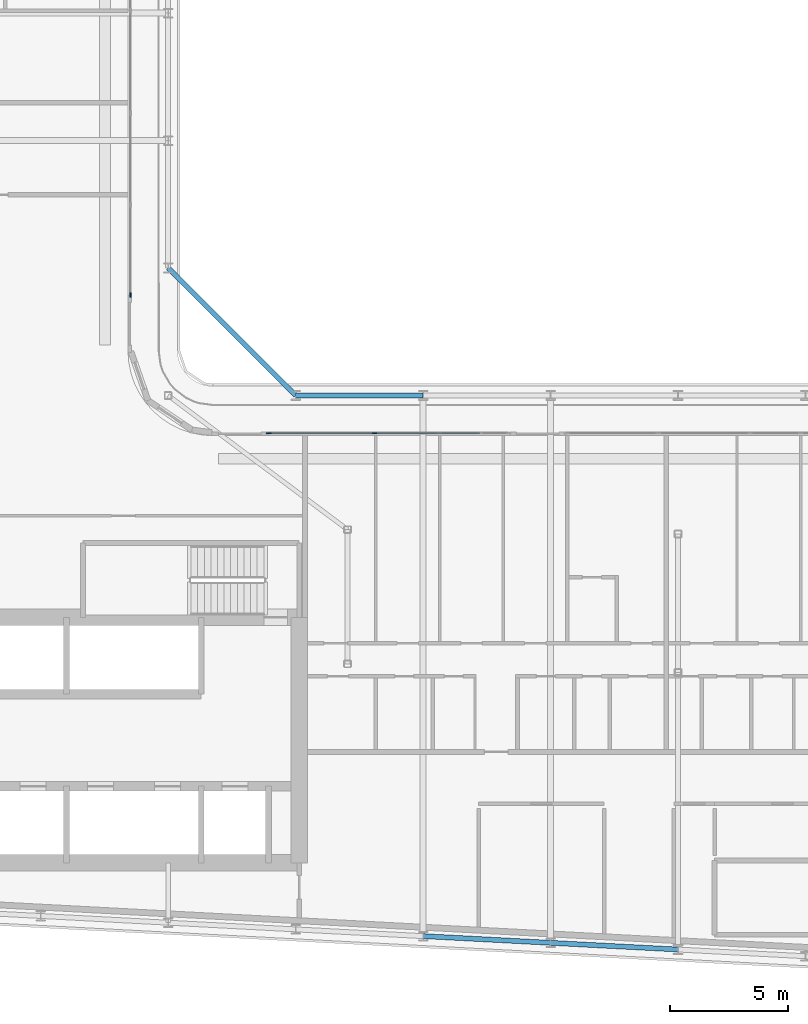
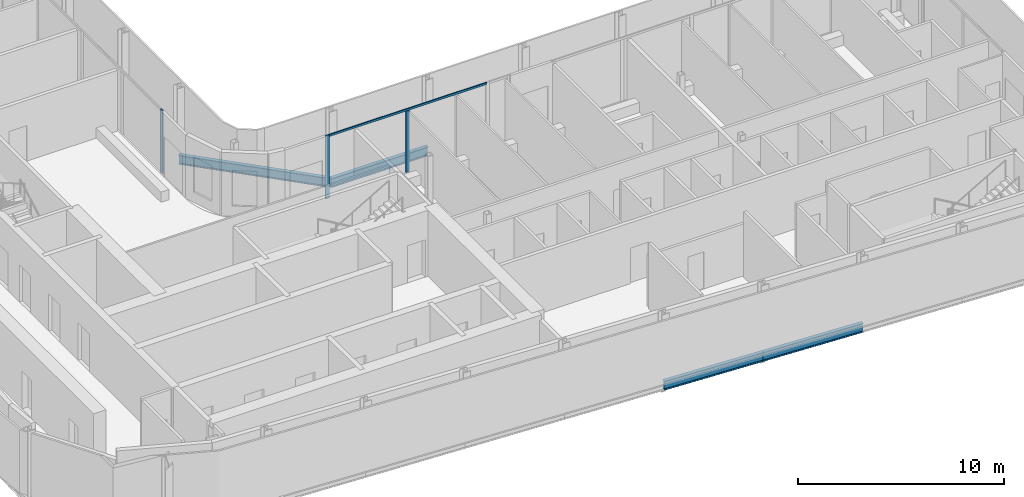
# One storey, part 4 of 23: 4 beams, 4 members, 2 elements without a shape of their own.
"""IFC4 building model written with IfcOpenShell, lengths in metres."""

from ifc_helpers import new_model, si_unit, direction, frame, origin, origin_2d, place, context, subcontext, project, spatial, rectangle, i_section, extrude, material, layer, layer_set, material_profile, profile_set, type_object, element, aggregate, save


model = new_model("IFC4")

# Units and contexts
model_context = context("Model", 3, precision=1e-05, world=origin(), true_north=direction((0.0, 1.0)))
body_context = subcontext(model_context, "Body", "Model", "MODEL_VIEW")
ifc_project = project(units=[si_unit("LENGTHUNIT", "METRE"), si_unit("AREAUNIT", "SQUARE_METRE"), si_unit("VOLUMEUNIT", "CUBIC_METRE"), si_unit("PLANEANGLEUNIT", "RADIAN"), si_unit("MASSUNIT", "GRAM", prefix="KILO")], contexts=[model_context])

# Site, building, storey
site_placement = place(None, origin())
site = spatial("IfcSite", under=ifc_project, at=site_placement, CompositionType="ELEMENT")
building_placement = place(site_placement, origin())
building = spatial("IfcBuilding", under=site, at=building_placement, Name="Kheshtan School and Residences Tower", CompositionType="ELEMENT")
storey_placement = place(building_placement, frame((0.0, 0.0, 243.5)))
storey = spatial("IfcBuildingStorey", under=building, at=storey_placement, Name="L57", CompositionType="ELEMENT", Elevation=243.5)

# Beams
ifc_material_1 = material(Name="Steel ASTM A992 Grade 50", Category="steel")
ifc_material_profile_1 = material_profile(ifc_material_1, i_section(OverallWidth=0.208984375, OverallDepth=0.532958984375, WebThickness=0.01025390625, FlangeThickness=0.015625, FilletRadius=0.013916015625, at=origin_2d()), Name="W530x92")
ifc_profile_set_1 = profile_set([ifc_material_profile_1], Name="Steel ASTM A992 Grade 50")
beam_type = type_object("IfcBeamType", Name="Beam SP3 W530x92 ASTM A992 Grade 50", PredefinedType="BEAM", material=ifc_profile_set_1)
beam_1_placement = place(storey_placement, frame((47.60009765625, 51.0, -0.41650390625), z_axis=(0.707106781187, -0.707106781187, 0.0), x_axis=(0.707106781187, 0.707106781187, 0.0)))
element("IfcBeam", 1, at=beam_1_placement, inside=storey, type_object=beam_type, Name="Spandrel beam C079-C061", PredefinedType="BEAM", context=body_context, shape_type="SweptSolid", body=[
    extrude(i_section(OverallWidth=0.208984375, OverallDepth=0.532958984375, WebThickness=0.01025390625, FlangeThickness=0.015625, FilletRadius=0.013916015625, at=origin_2d()), origin(), (0.0, 0.0, 1.0), 7.63671875),
])
beam_2_placement = place(storey_placement, frame((53.0, 45.60009765625, -0.41650390625), z_axis=(1.0, 0.0, 0.0), x_axis=(0.0, 1.0, 0.0)))
element("IfcBeam", 2, at=beam_2_placement, inside=storey, type_object=beam_type, Name="Spandrel beam C061-C062", PredefinedType="BEAM", context=body_context, shape_type="SweptSolid", body=[
    extrude(i_section(OverallWidth=0.208984375, OverallDepth=0.532958984375, WebThickness=0.01025390625, FlangeThickness=0.015625, FilletRadius=0.013916015625, at=origin_2d()), origin(), (0.0, 0.0, 1.0), 5.39990234375),
])
beam_3_placement = place(storey_placement, frame((69.199951171875, 22.126953125, -0.41650390625), z_axis=(-0.998620447272, 0.05250906864, 0.0), x_axis=(-0.05250906864, -0.998620447272, 0.0)))
element("IfcBeam", 3, at=beam_3_placement, inside=storey, type_object=beam_type, Name="Spandrel beam C014-C016", PredefinedType="BEAM", context=body_context, shape_type="SweptSolid", body=[
    extrude(i_section(OverallWidth=0.208984375, OverallDepth=0.532958984375, WebThickness=0.01025390625, FlangeThickness=0.015625, FilletRadius=0.013916015625, at=origin_2d()), origin(), (0.0, 0.0, 1.0), 5.407470703125),
])
beam_4_placement = place(storey_placement, frame((63.800048828125, 22.410888671875, -0.41650390625), z_axis=(-0.998618203458, 0.052551724256, 0.0), x_axis=(-0.052551724256, -0.998618203458, 0.0)))
element("IfcBeam", 4, at=beam_4_placement, inside=storey, type_object=beam_type, Name="Spandrel beam C016-C018", PredefinedType="BEAM", context=body_context, shape_type="SweptSolid", body=[
    extrude(i_section(OverallWidth=0.208984375, OverallDepth=0.532958984375, WebThickness=0.01025390625, FlangeThickness=0.015625, FilletRadius=0.013916015625, at=origin_2d()), origin(), (0.0, 0.0, 1.0), 5.40771484375),
])

# Curtain wall, member
ifc_material_2 = material(Name="Clear low-e glass in thermally broken aluminium frame", Category="aluminium")
ifc_layer = layer(ifc_material_2, 0.199951171875)
ifc_layer_set = layer_set([ifc_layer], Name="Curtain wall CW-L")
curtain_wall_type = type_object("IfcCurtainWallType", Name="Curtain wall CW-L", PredefinedType="NOTDEFINED", material=ifc_layer_set)
curtain_wall_1_placement = place(storey_placement, origin())
curtain_wall_1 = element("IfcCurtainWall", 5, at=curtain_wall_1_placement, inside=storey, type_object=curtain_wall_type, Name="Curtain wall CWL8", PredefinedType="NOTDEFINED")
ifc_material_3 = material(Name="Thermally broken aluminium, dark bronze anodised", Category="aluminium")
ifc_material_profile_2 = material_profile(ifc_material_3, rectangle(XDim=0.06005859375, YDim=0.199951171875, at=origin_2d()), Name="CW-L mullion 60x200")
ifc_profile_set_2 = profile_set([ifc_material_profile_2], Name="Thermally broken aluminium, dark bronze anodised")
member_type_1 = type_object("IfcMemberType", Name="CW-L mullion 60x200", PredefinedType="MULLION", material=ifc_profile_set_2)
member_1_placement = place(storey_placement, frame((46.0, 49.860107421875, 0.0), z_axis=(0.0, 0.0, 1.0), x_axis=(1.0, 0.0, 0.0)))
member_1 = element("IfcMember", 6, at=member_1_placement, type_object=member_type_1, Name="CWL8 mullion 3", PredefinedType="MULLION", context=body_context, shape_type="SweptSolid", body=[
    extrude(rectangle(XDim=0.06005859375, YDim=0.199951171875, at=origin_2d()), origin(), (0.0, 0.0, 1.0), 3.75),
])
aggregate(curtain_wall_1, [member_1])

# Curtain wall, members
curtain_wall_2_placement = place(storey_placement, origin())
curtain_wall_2 = element("IfcCurtainWall", 7, at=curtain_wall_2_placement, inside=storey, type_object=curtain_wall_type, Name="Curtain wall CWL1228", PredefinedType="NOTDEFINED")
member_2_placement = place(storey_placement, frame((51.860107421875, 44.0, 0.0), z_axis=(0.0, 0.0, 1.0), x_axis=(0.0, 1.0, 0.0)))
member_2 = element("IfcMember", 8, at=member_2_placement, type_object=member_type_1, Name="CWL1228 mullion 1", PredefinedType="MULLION", context=body_context, shape_type="SweptSolid", body=[
    extrude(rectangle(XDim=0.06005859375, YDim=0.199951171875, at=origin_2d()), origin(), (0.0, 0.0, 1.0), 3.75),
])
member_3_placement = place(storey_placement, frame((56.341552734375, 44.0, 0.0), z_axis=(0.0, 0.0, 1.0), x_axis=(0.0, 1.0, 0.0)))
member_3 = element("IfcMember", 9, at=member_3_placement, type_object=member_type_1, Name="CWL1228 mullion 2", PredefinedType="MULLION", context=body_context, shape_type="SweptSolid", body=[
    extrude(rectangle(XDim=0.06005859375, YDim=0.199951171875, at=origin_2d()), origin(), (0.0, 0.0, 1.0), 3.6298828125),
])
ifc_material_profile_3 = material_profile(ifc_material_3, rectangle(XDim=0.06005859375, YDim=0.1201171875, at=origin_2d()), Name="CW-L transom 60x120")
ifc_profile_set_3 = profile_set([ifc_material_profile_3], Name="Thermally broken aluminium, dark bronze anodised")
member_type_2 = type_object("IfcMemberType", Name="CW-L transom 60x120", PredefinedType="USERDEFINED", material=ifc_profile_set_3)
member_4_placement = place(storey_placement, frame((51.889892578125, 44.0, 3.68994140625), z_axis=(1.0, 0.0, 0.0), x_axis=(0.0, 1.0, 0.0)))
member_4 = element("IfcMember", 10, at=member_4_placement, type_object=member_type_2, Name="CWL1228 transom 1", ObjectType="TRANSOM", PredefinedType="USERDEFINED", context=body_context, shape_type="SweptSolid", body=[
    extrude(rectangle(XDim=0.06005859375, YDim=0.1201171875, at=origin_2d()), origin(), (0.0, 0.0, 1.0), 8.9033203125),
])
aggregate(curtain_wall_2, [member_2, member_3, member_4])

save(model, "model.ifc")
